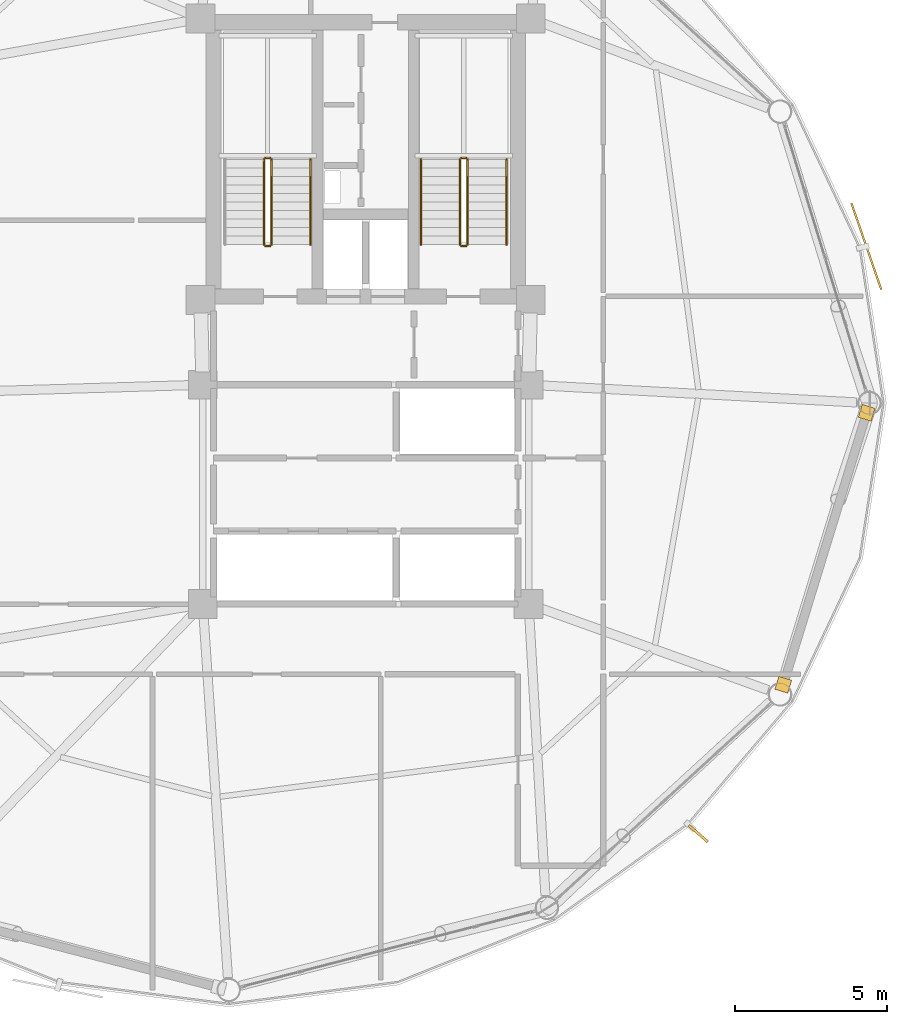
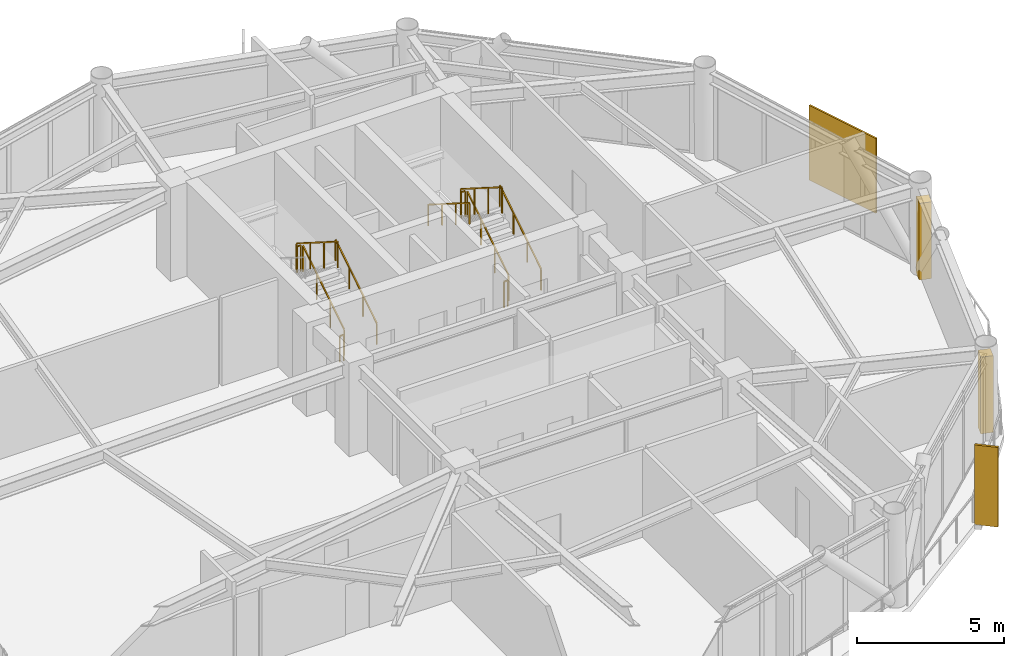
# One storey, part 26 of 27: 11 railings, 2 coverings, 2 shading devices.
"""IFC4 building model written with IfcOpenShell, lengths in metres."""

from ifc_helpers import new_model, si_unit, direction, frame, origin, origin_2d, place, context, subcontext, project, spatial, rectangle, extrude, source, transform, mapped, material, layer, layer_set, type_object, type_shapes, element, save


model = new_model("IFC4")

# Units and contexts
model_context = context("Model", 3, precision=1e-05, world=origin(), true_north=direction((0.0, 1.0)))
body_context = subcontext(model_context, "Body", "Model", "MODEL_VIEW")
ifc_project = project(units=[si_unit("LENGTHUNIT", "METRE"), si_unit("AREAUNIT", "SQUARE_METRE"), si_unit("VOLUMEUNIT", "CUBIC_METRE"), si_unit("PLANEANGLEUNIT", "RADIAN"), si_unit("MASSUNIT", "GRAM", prefix="KILO")], contexts=[model_context])

# Site, building, storey
site_placement = place(None, origin())
site = spatial("IfcSite", under=ifc_project, at=site_placement, CompositionType="ELEMENT")
building_placement = place(site_placement, origin())
building = spatial("IfcBuilding", under=site, at=building_placement, Name="Varnakorn Sky Granary", CompositionType="ELEMENT")
storey_placement = place(building_placement, frame((0.0, 0.0, 134.39990234375)))
storey = spatial("IfcBuildingStorey", under=building, at=storey_placement, Name="L33", CompositionType="ELEMENT", Elevation=134.39990234375)

# Railings
ifc_material_1 = material(Name="Brushed Stainless Steel 316", Category="steel")
railing_type_1 = type_object("IfcRailingType", Name="RL-STAIR-1100", PredefinedType="GUARDRAIL", material=ifc_material_1)
railing_1_placement = place(storey_placement, frame((-0.090087890625, 5.199951171875, 0.177490234375)))
element("IfcRailing", 1, at=railing_1_placement, inside=storey, type_object=railing_type_1, Name="L33 ST-1 stair guard 1", PredefinedType="GUARDRAIL", context=body_context, shape_type="SweptSolid", body=[
    extrude(rectangle(XDim=0.048095703125, YDim=0.048095703125, at=origin_2d()), frame((0.0, 0.0, 1.076171875), z_axis=(0.0, 0.844908973607, 0.534910110503), x_axis=(-1.0, 0.0, 0.0)), (0.0, 0.0, 1.0), 3.31396484375),
    extrude(rectangle(XDim=0.0419921875, YDim=0.0419921875, at=origin_2d()), origin(), (0.0, 0.0, 1.0), 1.048095703125),
    extrude(rectangle(XDim=0.0419921875, YDim=0.0419921875, at=origin_2d()), frame((0.0, 0.933349609375, 0.5908203125)), (0.0, 0.0, 1.0), 1.048095703125),
    extrude(rectangle(XDim=0.0419921875, YDim=0.0419921875, at=origin_2d()), frame((0.0, 1.86669921875, 1.181884765625)), (0.0, 0.0, 1.0), 1.048095703125),
    extrude(rectangle(XDim=0.0419921875, YDim=0.0419921875, at=origin_2d()), frame((0.0, 2.800048828125, 1.772705078125)), (0.0, 0.0, 1.0), 1.048095703125),
])
railing_2_placement = place(storey_placement, frame((-0.139892578125, 8.050048828125, 1.9501953125)))
element("IfcRailing", 2, at=railing_2_placement, inside=storey, type_object=railing_type_1, Name="L33 ST-1 stair guard 2", PredefinedType="GUARDRAIL", context=body_context, shape_type="SweptSolid", body=[
    extrude(rectangle(XDim=0.048095703125, YDim=0.048095703125, at=origin_2d()), frame((0.0, 0.0, 1.076171875), z_axis=(-1.0, 0.0, 0.0), x_axis=(0.0, -1.0, 0.0)), (0.0, 0.0, 1.0), 0.150146484375),
    extrude(rectangle(XDim=0.0419921875, YDim=0.0419921875, at=origin_2d()), origin(), (0.0, 0.0, 1.0), 1.048095703125),
    extrude(rectangle(XDim=0.0419921875, YDim=0.0419921875, at=origin_2d()), frame((-0.150146484375, 0.0, 0.0)), (0.0, 0.0, 1.0), 1.048095703125),
])
railing_3_placement = place(storey_placement, frame((-0.340087890625, 8.0, 2.12744140625)))
element("IfcRailing", 3, at=railing_3_placement, inside=storey, type_object=railing_type_1, Name="L33 ST-1 stair guard 3", PredefinedType="GUARDRAIL", context=body_context, shape_type="SweptSolid", body=[
    extrude(rectangle(XDim=0.048095703125, YDim=0.048095703125, at=origin_2d()), frame((0.0, 0.0, 1.076171875), z_axis=(0.0, -0.844908973607, 0.534910110503), x_axis=(1.0, 0.0, 0.0)), (0.0, 0.0, 1.0), 3.31396484375),
    extrude(rectangle(XDim=0.0419921875, YDim=0.0419921875, at=origin_2d()), origin(), (0.0, 0.0, 1.0), 1.048095703125),
    extrude(rectangle(XDim=0.0419921875, YDim=0.0419921875, at=origin_2d()), frame((0.0, -0.933349609375, 0.5908203125)), (0.0, 0.0, 1.0), 1.048095703125),
    extrude(rectangle(XDim=0.0419921875, YDim=0.0419921875, at=origin_2d()), frame((0.0, -1.86669921875, 1.181884765625)), (0.0, 0.0, 1.0), 1.048095703125),
    extrude(rectangle(XDim=0.0419921875, YDim=0.0419921875, at=origin_2d()), frame((0.0, -2.800048828125, 1.772705078125)), (0.0, 0.0, 1.0), 1.048095703125),
])
railing_4_placement = place(storey_placement, frame((-0.139892578125, 5.14990234375, 0.0)))
element("IfcRailing", 4, at=railing_4_placement, inside=storey, type_object=railing_type_1, Name="L33 ST-1 stair guard 4", PredefinedType="GUARDRAIL", context=body_context, shape_type="SweptSolid", body=[
    extrude(rectangle(XDim=0.048095703125, YDim=0.048095703125, at=origin_2d()), frame((0.0, 0.0, 1.076171875), z_axis=(-1.0, 0.0, 0.0), x_axis=(0.0, -1.0, 0.0)), (0.0, 0.0, 1.0), 0.150146484375),
    extrude(rectangle(XDim=0.0419921875, YDim=0.0419921875, at=origin_2d()), origin(), (0.0, 0.0, 1.0), 1.048095703125),
    extrude(rectangle(XDim=0.0419921875, YDim=0.0419921875, at=origin_2d()), frame((-0.150146484375, 0.0, 0.0)), (0.0, 0.0, 1.0), 1.048095703125),
])
railing_5_placement = place(storey_placement, frame((6.35009765625, 5.199951171875, 0.177490234375)))
element("IfcRailing", 5, at=railing_5_placement, inside=storey, type_object=railing_type_1, Name="L33 ST-2 stair guard 1", PredefinedType="GUARDRAIL", context=body_context, shape_type="SweptSolid", body=[
    extrude(rectangle(XDim=0.048095703125, YDim=0.048095703125, at=origin_2d()), frame((0.0, 0.0, 1.076171875), z_axis=(0.0, 0.844908973607, 0.534910110503), x_axis=(-1.0, 0.0, 0.0)), (0.0, 0.0, 1.0), 3.31396484375),
    extrude(rectangle(XDim=0.0419921875, YDim=0.0419921875, at=origin_2d()), origin(), (0.0, 0.0, 1.0), 1.048095703125),
    extrude(rectangle(XDim=0.0419921875, YDim=0.0419921875, at=origin_2d()), frame((0.0, 0.933349609375, 0.5908203125)), (0.0, 0.0, 1.0), 1.048095703125),
    extrude(rectangle(XDim=0.0419921875, YDim=0.0419921875, at=origin_2d()), frame((0.0, 1.86669921875, 1.181884765625)), (0.0, 0.0, 1.0), 1.048095703125),
    extrude(rectangle(XDim=0.0419921875, YDim=0.0419921875, at=origin_2d()), frame((0.0, 2.800048828125, 1.772705078125)), (0.0, 0.0, 1.0), 1.048095703125),
])
railing_6_placement = place(storey_placement, frame((6.300048828125, 8.050048828125, 1.9501953125)))
element("IfcRailing", 6, at=railing_6_placement, inside=storey, type_object=railing_type_1, Name="L33 ST-2 stair guard 2", PredefinedType="GUARDRAIL", context=body_context, shape_type="SweptSolid", body=[
    extrude(rectangle(XDim=0.048095703125, YDim=0.048095703125, at=origin_2d()), frame((0.0, 0.0, 1.076171875), z_axis=(-1.0, 0.0, 0.0), x_axis=(0.0, -1.0, 0.0)), (0.0, 0.0, 1.0), 0.150146484375),
    extrude(rectangle(XDim=0.0419921875, YDim=0.0419921875, at=origin_2d()), origin(), (0.0, 0.0, 1.0), 1.048095703125),
    extrude(rectangle(XDim=0.0419921875, YDim=0.0419921875, at=origin_2d()), frame((-0.150146484375, 0.0, 0.0)), (0.0, 0.0, 1.0), 1.048095703125),
])
railing_7_placement = place(storey_placement, frame((6.10009765625, 8.0, 2.12744140625)))
element("IfcRailing", 7, at=railing_7_placement, inside=storey, type_object=railing_type_1, Name="L33 ST-2 stair guard 3", PredefinedType="GUARDRAIL", context=body_context, shape_type="SweptSolid", body=[
    extrude(rectangle(XDim=0.048095703125, YDim=0.048095703125, at=origin_2d()), frame((0.0, 0.0, 1.076171875), z_axis=(0.0, -0.844908973607, 0.534910110503), x_axis=(1.0, 0.0, 0.0)), (0.0, 0.0, 1.0), 3.31396484375),
    extrude(rectangle(XDim=0.0419921875, YDim=0.0419921875, at=origin_2d()), origin(), (0.0, 0.0, 1.0), 1.048095703125),
    extrude(rectangle(XDim=0.0419921875, YDim=0.0419921875, at=origin_2d()), frame((0.0, -0.933349609375, 0.5908203125)), (0.0, 0.0, 1.0), 1.048095703125),
    extrude(rectangle(XDim=0.0419921875, YDim=0.0419921875, at=origin_2d()), frame((0.0, -1.86669921875, 1.181884765625)), (0.0, 0.0, 1.0), 1.048095703125),
    extrude(rectangle(XDim=0.0419921875, YDim=0.0419921875, at=origin_2d()), frame((0.0, -2.800048828125, 1.772705078125)), (0.0, 0.0, 1.0), 1.048095703125),
])
railing_8_placement = place(storey_placement, frame((6.300048828125, 5.14990234375, 0.0)))
element("IfcRailing", 8, at=railing_8_placement, inside=storey, type_object=railing_type_1, Name="L33 ST-2 stair guard 4", PredefinedType="GUARDRAIL", context=body_context, shape_type="SweptSolid", body=[
    extrude(rectangle(XDim=0.048095703125, YDim=0.048095703125, at=origin_2d()), frame((0.0, 0.0, 1.076171875), z_axis=(-1.0, 0.0, 0.0), x_axis=(0.0, -1.0, 0.0)), (0.0, 0.0, 1.0), 0.150146484375),
    extrude(rectangle(XDim=0.0419921875, YDim=0.0419921875, at=origin_2d()), origin(), (0.0, 0.0, 1.0), 1.048095703125),
    extrude(rectangle(XDim=0.0419921875, YDim=0.0419921875, at=origin_2d()), frame((-0.150146484375, 0.0, 0.0)), (0.0, 0.0, 1.0), 1.048095703125),
])
railing_type_2 = type_object("IfcRailingType", Name="RL-STAIR-920", PredefinedType="HANDRAIL", material=ifc_material_1)
for number, where, name in (
    (9, (1.18994140625, 5.199951171875, 0.177490234375), "L33 ST-1 stair handrail 1"),
    (10, (7.6298828125, 5.199951171875, 0.177490234375), "L33 ST-2 stair handrail 1"),
):
    element("IfcRailing", number, at=place(storey_placement, frame(where)), inside=storey, type_object=railing_type_2, Name=name, PredefinedType="HANDRAIL", context=body_context, shape_type="SweptSolid", body=[
        extrude(rectangle(XDim=0.048095703125, YDim=0.048095703125, at=origin_2d()), frame((0.0, 0.0, 0.8759765625), z_axis=(0.0, 0.844908973607, 0.534910110503), x_axis=(-1.0, 0.0, 0.0)), (0.0, 0.0, 1.0), 3.31396484375),
        extrude(rectangle(XDim=0.0419921875, YDim=0.0419921875, at=origin_2d()), origin(), (0.0, 0.0, 1.0), 0.847900390625),
        extrude(rectangle(XDim=0.0419921875, YDim=0.0419921875, at=origin_2d()), frame((0.0, 0.933349609375, 0.5908203125)), (0.0, 0.0, 1.0), 0.847900390625),
        extrude(rectangle(XDim=0.0419921875, YDim=0.0419921875, at=origin_2d()), frame((0.0, 1.86669921875, 1.181884765625)), (0.0, 0.0, 1.0), 0.847900390625),
        extrude(rectangle(XDim=0.0419921875, YDim=0.0419921875, at=origin_2d()), frame((0.0, 2.800048828125, 1.772705078125)), (0.0, 0.0, 1.0), 0.847900390625),
    ])
railing_9_placement = place(storey_placement, frame((4.820068359375, 8.0, 2.12744140625)))
element("IfcRailing", 11, at=railing_9_placement, inside=storey, type_object=railing_type_2, Name="L33 ST-2 stair handrail 2", PredefinedType="HANDRAIL", context=body_context, shape_type="SweptSolid", body=[
    extrude(rectangle(XDim=0.048095703125, YDim=0.048095703125, at=origin_2d()), frame((0.0, 0.0, 0.8759765625), z_axis=(0.0, -0.844908973607, 0.534910110503), x_axis=(1.0, 0.0, 0.0)), (0.0, 0.0, 1.0), 3.31396484375),
    extrude(rectangle(XDim=0.0419921875, YDim=0.0419921875, at=origin_2d()), origin(), (0.0, 0.0, 1.0), 0.847900390625),
    extrude(rectangle(XDim=0.0419921875, YDim=0.0419921875, at=origin_2d()), frame((0.0, -0.933349609375, 0.5908203125)), (0.0, 0.0, 1.0), 0.847900390625),
    extrude(rectangle(XDim=0.0419921875, YDim=0.0419921875, at=origin_2d()), frame((0.0, -1.86669921875, 1.181884765625)), (0.0, 0.0, 1.0), 0.847900390625),
    extrude(rectangle(XDim=0.0419921875, YDim=0.0419921875, at=origin_2d()), frame((0.0, -2.800048828125, 1.772705078125)), (0.0, 0.0, 1.0), 0.847900390625),
])

# Shading devices
ifc_material_2 = material(Name="Anodised Bronze Aluminium Alloy 6063-T6", Category="aluminium")
shading_device_type_1 = type_object("IfcShadingDeviceType", Name="SH-SCR-02", PredefinedType="USERDEFINED", material=ifc_material_2)
shared_shape_1 = source(origin(), body_context, "Body", "SweptSolid", [
    extrude(rectangle(XDim=3.0, YDim=0.06494140625, at=origin_2d()), origin(), (0.0, 0.0, 1.0), 3.10009765625),
])
type_shapes(shading_device_type_1, [shared_shape_1])
shading_device_1_placement = place(storey_placement, frame((19.437744140625, 5.146728515625, -0.0400390625), z_axis=(0.0, 0.0, 1.0), x_axis=(-0.326559440348, 0.945176667041, 0.0)))
element("IfcShadingDevice", 12, at=shading_device_1_placement, inside=storey, type_object=shading_device_type_1, Name="Perforated Bronze Solar Screen Panel SCREEN L33-01", ObjectType="SCREEN", PredefinedType="USERDEFINED", context=body_context, shape_type="MappedRepresentation", body=[
    mapped(shared_shape_1, transform((0.0, 0.0, 0.0), x_axis=(1.0, 0.0, 0.0), y_axis=(0.0, 1.0, 0.0), z_axis=(0.0, 0.0, 1.0), scale=1.0)),
])
shading_device_type_2 = type_object("IfcShadingDeviceType", Name="SH-FIN-02", PredefinedType="USERDEFINED", material=ifc_material_2)
shared_shape_2 = source(origin(), body_context, "Body", "SweptSolid", [
    extrude(rectangle(XDim=0.0849609375, YDim=0.820068359375, at=origin_2d()), origin(), (0.0, 0.0, 1.0), 3.300048828125),
])
type_shapes(shading_device_type_2, [shared_shape_2])
shading_device_2_placement = place(storey_placement, frame((13.922607421875, -14.14013671875, -0.0400390625), z_axis=(0.0, 0.0, 1.0), x_axis=(0.65778062048, 0.753209569324, 0.0)))
element("IfcShadingDevice", 13, at=shading_device_2_placement, inside=storey, type_object=shading_device_type_2, Name="Bronze Solar-Tracking Vertical Blade FIN L33-11", ObjectType="FIN", PredefinedType="USERDEFINED", context=body_context, shape_type="MappedRepresentation", body=[
    mapped(shared_shape_2, transform((0.0, 0.0, 0.0), x_axis=(1.0, 0.0, 0.0), y_axis=(0.0, 1.0, 0.0), z_axis=(0.0, 0.0, 1.0), scale=1.0)),
])

# Coverings
ifc_layer = layer(ifc_material_2, 0.050048828125, Name="Anodised Bronze Aluminium Alloy 6063-T6")
ifc_layer_set = layer_set([ifc_layer], Name="Anodised Bronze Aluminium Alloy 6063-T6")
covering_type = type_object("IfcCoveringType", Name="CV-CLAD-50", PredefinedType="CLADDING", material=ifc_layer_set)
shared_shape_3 = source(origin(), body_context, "Body", "SweptSolid", [
    extrude(rectangle(XDim=0.43994140625, YDim=0.43994140625, at=origin_2d()), origin(), (0.0, 0.0, 1.0), 3.179931640625),
])
type_shapes(covering_type, [shared_shape_3])
for number, where, z_axis, x_axis, name in (
    (14, (19.451416015625, -0.3212890625, -0.02001953125), (0.0, 0.0, 1.0), (-0.293372984228, -0.955998060733, 0.0), "Bronze Corner Pilaster Closure L33-P12-A"),
    (15, (16.71142578125, -9.250732421875, -0.02001953125), (0.0, 0.0, 1.0), (-0.293372984228, -0.955998060733, 0.0), "Bronze Corner Pilaster Closure L33-P12-B"),
):
    element("IfcCovering", number, at=place(storey_placement, frame(where, z_axis=z_axis, x_axis=x_axis)), inside=storey, type_object=covering_type, Name=name, PredefinedType="CLADDING", context=body_context, shape_type="MappedRepresentation", body=[
        mapped(shared_shape_3, transform((0.0, 0.0, 0.0), x_axis=(1.0, 0.0, 0.0), y_axis=(0.0, 1.0, 0.0), z_axis=(0.0, 0.0, 1.0), scale=1.0)),
    ])

save(model, "model.ifc")
